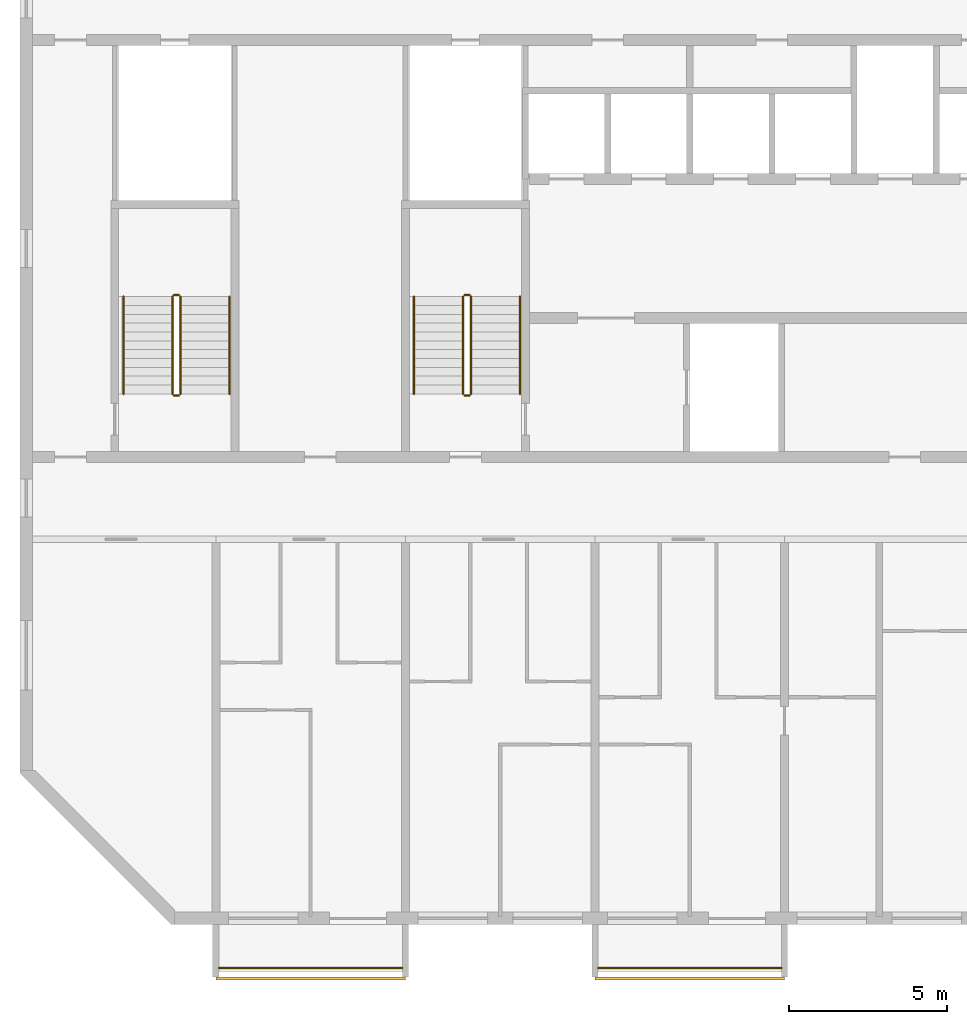
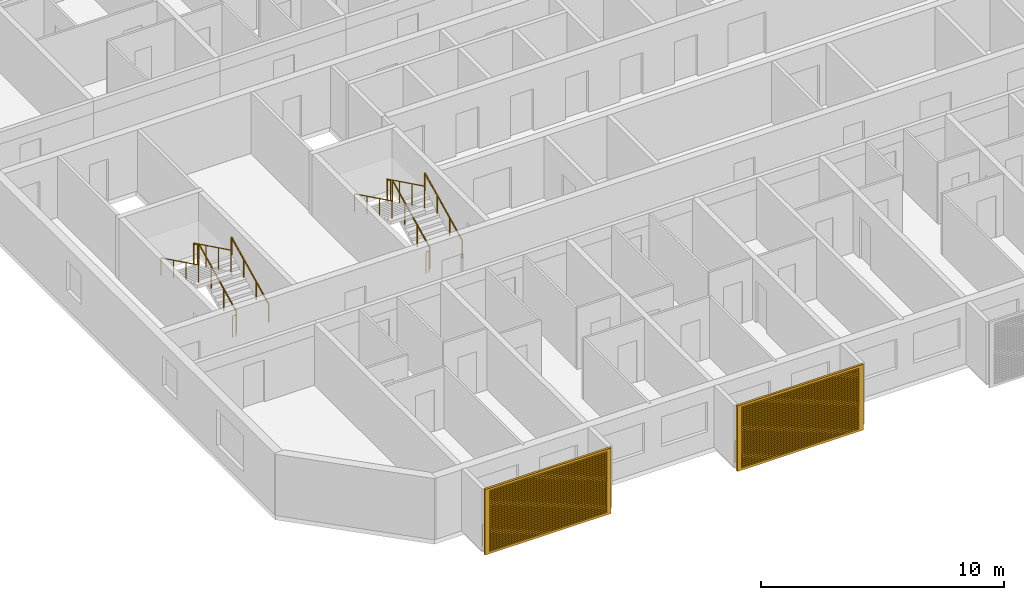
# One storey, part 12 of 26: 14 railings, 2 shading devices.
"""IFC4 building model written with IfcOpenShell, lengths in metres."""

import ifcopenshell
import ifcopenshell.guid

model = None  # the IFC model being written
_history = None  # IfcOwnerHistory: only IFC2X3 demands one
_inside = {}  # id of a spatial element -> (the spatial element, [elements in it])
_under = {}  # id of a project, library or spatial element -> (it, [spatial elements below it])
_declared = {}  # id of a project -> (the project, [libraries it declares])
_typed = {}  # id of a type object -> (the type object, [elements of that type])
_made_of = {}  # id of a material, layer set ... -> (it, [elements and type objects made of it])


def new_model(schema):
    """Start an empty IFC model of exactly this schema.

    Asked for "IFC4X3", IfcOpenShell would pick the latest addendum, in which some entities
    have other attributes; the version numbers below select the first issue.
    IFC2X3 requires an IfcOwnerHistory on every rooted entity: one is made here for all.
    """
    global model, _history
    if schema == "IFC4X3":
        model = ifcopenshell.file(schema_version=(4, 3, 0, 0))
    else:
        model = ifcopenshell.file(schema=schema)
    _inside.clear()
    _under.clear()
    _declared.clear()
    _typed.clear()
    _made_of.clear()
    _history = None
    if model.schema == "IFC2X3":
        org = make("IfcOrganization", Name="unknown")
        user = make(
            "IfcPersonAndOrganization",
            ThePerson=make("IfcPerson", FamilyName="unknown"),
            TheOrganization=org,
        )
        app = make(
            "IfcApplication",
            ApplicationDeveloper=org,
            Version="unknown",
            ApplicationFullName="unknown",
            ApplicationIdentifier="unknown",
        )
        _history = make(
            "IfcOwnerHistory",
            OwningUser=user,
            OwningApplication=app,
            ChangeAction="ADDED",
            CreationDate=0,
        )
    return model


def make(cls, **values):
    """One entity of the class cls with the attributes given. An attribute that is None is left unset."""
    return model.create_entity(
        cls, **{name: value for name, value in values.items() if value is not None}
    )


def rooted(cls, **values):
    """An entity with a GlobalId (a new one), such as an element, a storey or a relation."""
    return make(cls, GlobalId=ifcopenshell.guid.new(), OwnerHistory=_history, **values)


def si_unit(unit_type, name, prefix=None):
    """IfcSIUnit, for example si_unit("LENGTHUNIT", "METRE", prefix="MILLI")."""
    return make("IfcSIUnit", UnitType=unit_type, Prefix=prefix, Name=name)


def assignment(units):
    """IfcUnitAssignment: the units of a project."""
    return None if units is None else make("IfcUnitAssignment", Units=units)


def point(xyz):
    """IfcCartesianPoint."""
    return None if xyz is None else make("IfcCartesianPoint", Coordinates=xyz)


def direction(xyz):
    """IfcDirection."""
    return None if xyz is None else make("IfcDirection", DirectionRatios=xyz)


def frame(location, z_axis=None, x_axis=None):
    """IfcAxis2Placement3D, a coordinate frame: its origin and axes. An axis left out is left unset."""
    return make(
        "IfcAxis2Placement3D",
        Location=point(location),
        Axis=direction(z_axis),
        RefDirection=direction(x_axis),
    )


def frame_2d(location, x_axis=None):
    """IfcAxis2Placement2D, a coordinate frame in the plane: its origin and x axis."""
    return make(
        "IfcAxis2Placement2D", Location=point(location), RefDirection=direction(x_axis)
    )


def origin():
    """The frame at (0, 0, 0) with its axes left unset."""
    return frame((0.0, 0.0, 0.0))


def origin_2d():
    """The frame at (0, 0) in the plane with its x axis left unset."""
    return frame_2d((0.0, 0.0))


def place(relative_to, where):
    """IfcLocalPlacement: puts the frame where relative to a parent placement (None: the world)."""
    return make(
        "IfcLocalPlacement", PlacementRelTo=relative_to, RelativePlacement=where
    )


def context(
    kind, dimensions, precision=None, world=None, true_north=None, identifier=None
):
    """IfcGeometricRepresentationContext, for example the 3D "Model" context."""
    return make(
        "IfcGeometricRepresentationContext",
        ContextIdentifier=identifier,
        ContextType=kind,
        CoordinateSpaceDimension=dimensions,
        Precision=precision,
        WorldCoordinateSystem=world,
        TrueNorth=true_north,
    )


def subcontext(parent, identifier, kind, view, scale=None):
    """IfcGeometricRepresentationSubContext, for example "Body" below "Model"."""
    return make(
        "IfcGeometricRepresentationSubContext",
        ContextIdentifier=identifier,
        ContextType=kind,
        ParentContext=parent,
        TargetScale=scale,
        TargetView=view,
    )


def project(units=None, contexts=None):
    """IfcProject with its units and contexts."""
    return rooted(
        "IfcProject",
        Name="project",
        RepresentationContexts=contexts,
        UnitsInContext=assignment(units),
    )


def spatial(cls, under=None, at=None, **own):
    """A site, building, storey or space (cls), placed at a placement, below another one or the project."""
    s = rooted(cls, ObjectPlacement=at, **own)
    if under is not None:
        _under.setdefault(under.id(), (under, []))[1].append(s)
    return s


def polyline(points):
    """IfcPolyline through the points."""
    return make("IfcPolyline", Points=[point(p) for p in points])


def profile(cls, at=None, kind="AREA", **sizes):
    """A parametric profile (cls). Its sizes go by their IFC names, for example OverallWidth=200.0."""
    return make(cls, ProfileType=kind, Position=at, **sizes)


def circle(**sizes):
    """IfcCircleProfileDef."""
    return profile("IfcCircleProfileDef", **sizes)


def outline(outer, holes=None, kind="AREA"):
    """IfcArbitraryClosedProfileDef: a profile drawn as a closed curve; with holes, ...WithVoids."""
    if holes is None:
        return make("IfcArbitraryClosedProfileDef", ProfileType=kind, OuterCurve=outer)
    return make(
        "IfcArbitraryProfileDefWithVoids",
        ProfileType=kind,
        OuterCurve=outer,
        InnerCurves=holes,
    )


def extrude(swept, where, along, depth):
    """IfcExtrudedAreaSolid: the profile swept, set in the frame where, extruded along a direction by depth."""
    return make(
        "IfcExtrudedAreaSolid",
        SweptArea=swept,
        Position=where,
        ExtrudedDirection=direction(along),
        Depth=depth,
    )


def shape(context_of_items, identifier, shape_type, items):
    """IfcShapeRepresentation: the items that make up one representation, for example the "Body"."""
    return make(
        "IfcShapeRepresentation",
        ContextOfItems=context_of_items,
        RepresentationIdentifier=identifier,
        RepresentationType=shape_type,
        Items=items,
    )


def source(mapping_origin, context_of_items, identifier, shape_type, items):
    """IfcRepresentationMap: a shape defined once, which mapped items show again and again."""
    return make(
        "IfcRepresentationMap",
        MappingOrigin=mapping_origin,
        MappedRepresentation=shape(context_of_items, identifier, shape_type, items),
    )


def transform(
    local_origin,
    x_axis=None,
    y_axis=None,
    z_axis=None,
    scale=None,
    scale2=None,
    scale3=None,
    uniform=True,
):
    """IfcCartesianTransformationOperator3D, or its non-uniform kind. x_axis, y_axis, z_axis: its Axis1, 2, 3."""
    if uniform:
        return make(
            "IfcCartesianTransformationOperator3D",
            Axis1=direction(x_axis),
            Axis2=direction(y_axis),
            LocalOrigin=point(local_origin),
            Scale=scale,
            Axis3=direction(z_axis),
        )
    return make(
        "IfcCartesianTransformationOperator3DnonUniform",
        Axis1=direction(x_axis),
        Axis2=direction(y_axis),
        LocalOrigin=point(local_origin),
        Scale=scale,
        Axis3=direction(z_axis),
        Scale2=scale2,
        Scale3=scale3,
    )


def mapped(mapping_source, mapping_target):
    """IfcMappedItem: shows the shape of a source again, moved by a transform."""
    return make(
        "IfcMappedItem", MappingSource=mapping_source, MappingTarget=mapping_target
    )


def material(Name=None, Category=None):
    """IfcMaterial."""
    return make("IfcMaterial", Name=Name, Category=Category)


def material_profile(
    of_material, cross_section, Name=None, Category=None, Priority=None
):
    """IfcMaterialProfile: a cross section and its material."""
    return make(
        "IfcMaterialProfile",
        Name=Name,
        Material=of_material,
        Profile=cross_section,
        Priority=Priority,
        Category=Category,
    )


def profile_set(profiles, Name=None, composite=None):
    """IfcMaterialProfileSet."""
    return make(
        "IfcMaterialProfileSet",
        Name=Name,
        MaterialProfiles=profiles,
        CompositeProfile=composite,
    )


def made_of(thing, what):
    """Note that an element or type object is made of a material, layer set ...; save() writes the relation."""
    if what is not None:
        _made_of.setdefault(what.id(), (what, []))[1].append(thing)
    return thing


def type_object(cls, material=None, **own):
    """A type object (cls), such as IfcWallType, which elements share."""
    return made_of(rooted(cls, **own), material)


def element(
    cls,
    number,
    at=None,
    inside=None,
    cuts=None,
    type_object=None,
    material=None,
    context=None,
    identifier="Body",
    shape_type=None,
    held_by="IfcProductDefinitionShape",
    body=None,
    shapes=None,
    **own,
):
    """One element of the class cls, such as IfcWall. Its Tag is "e" and its number.

    at: its placement. inside: the storey or other place that contains it. cuts: it is an
    opening in that element (IfcRelVoidsElement). A single representation is given by context,
    identifier, shape_type and body (its items); several are given by shapes. held_by: the class
    of the entity that holds the representations. save() writes the other relations.
    """
    e = rooted(cls, Tag="e%d" % number, ObjectPlacement=at, **own)
    if body is not None:
        shapes = [shape(context, identifier, shape_type, body)]
    if shapes is not None:
        e.Representation = make(held_by, Representations=shapes)
    if inside is not None:
        _inside.setdefault(inside.id(), (inside, []))[1].append(e)
    if cuts is not None:
        rooted(
            "IfcRelVoidsElement", RelatingBuildingElement=cuts, RelatedOpeningElement=e
        )
    if type_object is not None:
        _typed.setdefault(type_object.id(), (type_object, []))[1].append(e)
    return made_of(e, material)


def aggregate(whole, parts):
    """IfcRelAggregates: a whole, such as a stair, and the parts it consists of."""
    return rooted("IfcRelAggregates", RelatingObject=whole, RelatedObjects=parts)


def save(model, path):
    """Write the relations noted so far, then the file.

    IfcRelAggregates (storeys below a building ...), IfcRelContainedInSpatialStructure (elements
    in a storey), IfcRelDefinesByType, IfcRelAssociatesMaterial and IfcRelDeclares: one each for
    every whole, place, type object, material and project.
    """
    for whole, parts in _under.values():
        aggregate(whole, parts)
    for where, things in _inside.values():
        rooted(
            "IfcRelContainedInSpatialStructure",
            RelatedElements=things,
            RelatingStructure=where,
        )
    for kind, things in _typed.values():
        rooted("IfcRelDefinesByType", RelatedObjects=things, RelatingType=kind)
    for what, things in _made_of.values():
        rooted("IfcRelAssociatesMaterial", RelatedObjects=things, RelatingMaterial=what)
    for by, libraries in _declared.values():
        rooted("IfcRelDeclares", RelatingContext=by, RelatedDefinitions=libraries)
    model.write(path)


model = new_model("IFC4")

# Units and contexts
model_context = context("Model", 3, precision=1e-05, world=origin(), true_north=direction((0.0, 1.0)))
body_context = subcontext(model_context, "Body", "Model", "MODEL_VIEW")
ifc_project = project(units=[si_unit("LENGTHUNIT", "METRE"), si_unit("AREAUNIT", "SQUARE_METRE"), si_unit("VOLUMEUNIT", "CUBIC_METRE"), si_unit("PLANEANGLEUNIT", "RADIAN"), si_unit("MASSUNIT", "GRAM", prefix="KILO")], contexts=[model_context])

# Site, building, storey
site_placement = place(None, origin())
site = spatial("IfcSite", under=ifc_project, at=site_placement, CompositionType="ELEMENT")
building_placement = place(site_placement, origin())
building = spatial("IfcBuilding", under=site, at=building_placement, Name="Poui Terraces", CompositionType="ELEMENT")
storey_placement = place(building_placement, frame((0.0, 0.0, 224.699951171875)))
storey = spatial("IfcBuildingStorey", under=building, at=storey_placement, Name="L62", CompositionType="ELEMENT", Elevation=224.699951171875)

# Railings
ifc_material_1 = material(Name="Painted steel fretwork", Category="steel")
railing_type_1 = type_object("IfcRailingType", Name="BALCONY GUARD 1100", PredefinedType="GUARDRAIL", material=ifc_material_1)
for number, where, name in (
    (1, (24.10009765625, -1.570068359375, 0.0), "BALCONY GUARD"),
    (2, (36.10009765625, -1.570068359375, 0.0), "BALCONY GUARD"),
):
    element("IfcRailing", number, at=place(storey_placement, frame(where)), inside=storey, type_object=railing_type_1, Name=name, PredefinedType="GUARDRAIL", context=body_context, shape_type="SweptSolid", body=[
        extrude(circle(Radius=0.02392578125, at=origin_2d()), frame((0.0, 0.0, 1.076171875), z_axis=(1.0, 0.0, 0.0), x_axis=(0.0, 1.0, 0.0)), (0.0, 0.0, 1.0), 5.7998046875),
        extrude(circle(Radius=0.02099609375, at=origin_2d()), origin(), (0.0, 0.0, 1.0), 1.052001953125),
        extrude(circle(Radius=0.02099609375, at=origin_2d()), frame((0.966552734375, 0.0, 0.0)), (0.0, 0.0, 1.0), 1.052001953125),
        extrude(circle(Radius=0.02099609375, at=origin_2d()), frame((1.933349609375, 0.0, 0.0)), (0.0, 0.0, 1.0), 1.052001953125),
        extrude(circle(Radius=0.02099609375, at=origin_2d()), frame((2.89990234375, 0.0, 0.0)), (0.0, 0.0, 1.0), 1.052001953125),
        extrude(circle(Radius=0.02099609375, at=origin_2d()), frame((3.866455078125, 0.0, 0.0)), (0.0, 0.0, 1.0), 1.052001953125),
        extrude(circle(Radius=0.02099609375, at=origin_2d()), frame((4.833251953125, 0.0, 0.0)), (0.0, 0.0, 1.0), 1.052001953125),
        extrude(circle(Radius=0.02099609375, at=origin_2d()), frame((5.7998046875, 0.0, 0.0)), (0.0, 0.0, 1.0), 1.052001953125),
    ])
ifc_material_2 = material(Name="Galvanised steel balustrade", Category="steel")
railing_type_2 = type_object("IfcRailingType", Name="STAIR GUARD 1100", PredefinedType="GUARDRAIL", material=ifc_material_2)
railing_1_placement = place(storey_placement, frame((32.074951171875, 16.60009765625, 0.137451171875)))
element("IfcRailing", 3, at=railing_1_placement, inside=storey, type_object=railing_type_2, Name="L62 ST-CW stair guard 1", PredefinedType="GUARDRAIL", context=body_context, shape_type="SweptSolid", body=[
    extrude(circle(Radius=0.02392578125, at=origin_2d()), frame((0.0, 0.0, 1.076171875), z_axis=(0.0, 0.897578036475, 0.440855609512), x_axis=(-1.0, 0.0, 0.0)), (0.0, 0.0, 1.0), 3.43115234375),
    extrude(circle(Radius=0.02099609375, at=origin_2d()), origin(), (0.0, 0.0, 1.0), 1.052001953125),
    extrude(circle(Radius=0.02099609375, at=origin_2d()), frame((0.0, 1.026611328125, 0.504150390625)), (0.0, 0.0, 1.0), 1.052001953125),
    extrude(circle(Radius=0.02099609375, at=origin_2d()), frame((0.0, 2.05322265625, 1.008544921875)), (0.0, 0.0, 1.0), 1.052001953125),
    extrude(circle(Radius=0.02099609375, at=origin_2d()), frame((0.0, 3.079833984375, 1.5126953125)), (0.0, 0.0, 1.0), 1.052001953125),
])
railing_2_placement = place(storey_placement, frame((32.02490234375, 19.72998046875, 1.650146484375)))
element("IfcRailing", 4, at=railing_2_placement, inside=storey, type_object=railing_type_2, Name="L62 ST-CW stair guard 2", PredefinedType="GUARDRAIL", context=body_context, shape_type="SweptSolid", body=[
    extrude(circle(Radius=0.02392578125, at=origin_2d()), frame((0.0, 0.0, 1.076171875), z_axis=(-1.0, 0.0, 0.0), x_axis=(0.0, -1.0, 0.0)), (0.0, 0.0, 1.0), 0.14990234375),
    extrude(circle(Radius=0.02099609375, at=origin_2d()), origin(), (0.0, 0.0, 1.0), 1.052001953125),
    extrude(circle(Radius=0.02099609375, at=origin_2d()), frame((-0.14990234375, 0.0, 0.0)), (0.0, 0.0, 1.0), 1.052001953125),
])
railing_3_placement = place(storey_placement, frame((31.824951171875, 19.679931640625, 1.78759765625)))
element("IfcRailing", 5, at=railing_3_placement, inside=storey, type_object=railing_type_2, Name="L62 ST-CW stair guard 3", PredefinedType="GUARDRAIL", context=body_context, shape_type="SweptSolid", body=[
    extrude(circle(Radius=0.02392578125, at=origin_2d()), frame((0.0, 0.0, 1.076171875), z_axis=(0.0, -0.897606190399, 0.440798283751), x_axis=(1.0, 0.0, 0.0)), (0.0, 0.0, 1.0), 3.43115234375),
    extrude(circle(Radius=0.02099609375, at=origin_2d()), origin(), (0.0, 0.0, 1.0), 1.052001953125),
    extrude(circle(Radius=0.02099609375, at=origin_2d()), frame((0.0, -1.026611328125, 0.504150390625)), (0.0, 0.0, 1.0), 1.052001953125),
    extrude(circle(Radius=0.02099609375, at=origin_2d()), frame((0.0, -2.05322265625, 1.00830078125)), (0.0, 0.0, 1.0), 1.052001953125),
    extrude(circle(Radius=0.02099609375, at=origin_2d()), frame((0.0, -3.079833984375, 1.512451171875)), (0.0, 0.0, 1.0), 1.052001953125),
])
railing_4_placement = place(storey_placement, frame((32.02490234375, 16.550048828125, 0.0)))
element("IfcRailing", 6, at=railing_4_placement, inside=storey, type_object=railing_type_2, Name="L62 ST-CW stair guard 4", PredefinedType="GUARDRAIL", context=body_context, shape_type="SweptSolid", body=[
    extrude(circle(Radius=0.02392578125, at=origin_2d()), frame((0.0, 0.0, 1.076171875), z_axis=(-1.0, 0.0, 0.0), x_axis=(0.0, -1.0, 0.0)), (0.0, 0.0, 1.0), 0.14990234375),
    extrude(circle(Radius=0.02099609375, at=origin_2d()), origin(), (0.0, 0.0, 1.0), 1.052001953125),
    extrude(circle(Radius=0.02099609375, at=origin_2d()), frame((-0.14990234375, 0.0, 0.0)), (0.0, 0.0, 1.0), 1.052001953125),
])
railing_5_placement = place(storey_placement, frame((22.875, 16.60009765625, 0.137451171875)))
element("IfcRailing", 7, at=railing_5_placement, inside=storey, type_object=railing_type_2, Name="L62 ST-W stair guard 1", PredefinedType="GUARDRAIL", context=body_context, shape_type="SweptSolid", body=[
    extrude(circle(Radius=0.02392578125, at=origin_2d()), frame((0.0, 0.0, 1.076171875), z_axis=(0.0, 0.897578036475, 0.440855609512), x_axis=(-1.0, 0.0, 0.0)), (0.0, 0.0, 1.0), 3.43115234375),
    extrude(circle(Radius=0.02099609375, at=origin_2d()), origin(), (0.0, 0.0, 1.0), 1.052001953125),
    extrude(circle(Radius=0.02099609375, at=origin_2d()), frame((0.0, 1.026611328125, 0.504150390625)), (0.0, 0.0, 1.0), 1.052001953125),
    extrude(circle(Radius=0.02099609375, at=origin_2d()), frame((0.0, 2.05322265625, 1.008544921875)), (0.0, 0.0, 1.0), 1.052001953125),
    extrude(circle(Radius=0.02099609375, at=origin_2d()), frame((0.0, 3.079833984375, 1.5126953125)), (0.0, 0.0, 1.0), 1.052001953125),
])
railing_6_placement = place(storey_placement, frame((22.824951171875, 19.72998046875, 1.650146484375)))
element("IfcRailing", 8, at=railing_6_placement, inside=storey, type_object=railing_type_2, Name="L62 ST-W stair guard 2", PredefinedType="GUARDRAIL", context=body_context, shape_type="SweptSolid", body=[
    extrude(circle(Radius=0.02392578125, at=origin_2d()), frame((0.0, 0.0, 1.076171875), z_axis=(-1.0, 0.0, 0.0), x_axis=(0.0, -1.0, 0.0)), (0.0, 0.0, 1.0), 0.14990234375),
    extrude(circle(Radius=0.02099609375, at=origin_2d()), origin(), (0.0, 0.0, 1.0), 1.052001953125),
    extrude(circle(Radius=0.02099609375, at=origin_2d()), frame((-0.14990234375, 0.0, 0.0)), (0.0, 0.0, 1.0), 1.052001953125),
])
railing_7_placement = place(storey_placement, frame((22.625, 19.679931640625, 1.78759765625)))
element("IfcRailing", 9, at=railing_7_placement, inside=storey, type_object=railing_type_2, Name="L62 ST-W stair guard 3", PredefinedType="GUARDRAIL", context=body_context, shape_type="SweptSolid", body=[
    extrude(circle(Radius=0.02392578125, at=origin_2d()), frame((0.0, 0.0, 1.076171875), z_axis=(0.0, -0.897606190399, 0.440798283751), x_axis=(1.0, 0.0, 0.0)), (0.0, 0.0, 1.0), 3.43115234375),
    extrude(circle(Radius=0.02099609375, at=origin_2d()), origin(), (0.0, 0.0, 1.0), 1.052001953125),
    extrude(circle(Radius=0.02099609375, at=origin_2d()), frame((0.0, -1.026611328125, 0.504150390625)), (0.0, 0.0, 1.0), 1.052001953125),
    extrude(circle(Radius=0.02099609375, at=origin_2d()), frame((0.0, -2.05322265625, 1.00830078125)), (0.0, 0.0, 1.0), 1.052001953125),
    extrude(circle(Radius=0.02099609375, at=origin_2d()), frame((0.0, -3.079833984375, 1.512451171875)), (0.0, 0.0, 1.0), 1.052001953125),
])
railing_8_placement = place(storey_placement, frame((22.824951171875, 16.550048828125, 0.0)))
element("IfcRailing", 10, at=railing_8_placement, inside=storey, type_object=railing_type_2, Name="L62 ST-W stair guard 4", PredefinedType="GUARDRAIL", context=body_context, shape_type="SweptSolid", body=[
    extrude(circle(Radius=0.02392578125, at=origin_2d()), frame((0.0, 0.0, 1.076171875), z_axis=(-1.0, 0.0, 0.0), x_axis=(0.0, -1.0, 0.0)), (0.0, 0.0, 1.0), 0.14990234375),
    extrude(circle(Radius=0.02099609375, at=origin_2d()), origin(), (0.0, 0.0, 1.0), 1.052001953125),
    extrude(circle(Radius=0.02099609375, at=origin_2d()), frame((-0.14990234375, 0.0, 0.0)), (0.0, 0.0, 1.0), 1.052001953125),
])
ifc_material_3 = material(Name="Stainless steel handrail", Category="steel")
railing_type_3 = type_object("IfcRailingType", Name="STAIR HANDRAIL 900", PredefinedType="HANDRAIL", material=ifc_material_3)
railing_9_placement = place(storey_placement, frame((33.625, 16.60009765625, 0.137451171875)))
element("IfcRailing", 11, at=railing_9_placement, inside=storey, type_object=railing_type_3, Name="L62 ST-CW stair handrail 1", PredefinedType="HANDRAIL", context=body_context, shape_type="SweptSolid", body=[
    extrude(circle(Radius=0.02392578125, at=origin_2d()), frame((0.0, 0.0, 0.8759765625), z_axis=(0.0, 0.897578036475, 0.440855609512), x_axis=(-1.0, 0.0, 0.0)), (0.0, 0.0, 1.0), 3.43115234375),
    extrude(circle(Radius=0.02099609375, at=origin_2d()), origin(), (0.0, 0.0, 1.0), 0.851806640625),
    extrude(circle(Radius=0.02099609375, at=origin_2d()), frame((0.0, 1.026611328125, 0.504150390625)), (0.0, 0.0, 1.0), 0.851806640625),
    extrude(circle(Radius=0.02099609375, at=origin_2d()), frame((0.0, 2.05322265625, 1.008544921875)), (0.0, 0.0, 1.0), 0.851806640625),
    extrude(circle(Radius=0.02099609375, at=origin_2d()), frame((0.0, 3.079833984375, 1.5126953125)), (0.0, 0.0, 1.0), 0.851806640625),
])
railing_10_placement = place(storey_placement, frame((30.27490234375, 19.679931640625, 1.78759765625)))
element("IfcRailing", 12, at=railing_10_placement, inside=storey, type_object=railing_type_3, Name="L62 ST-CW stair handrail 2", PredefinedType="HANDRAIL", context=body_context, shape_type="SweptSolid", body=[
    extrude(circle(Radius=0.02392578125, at=origin_2d()), frame((0.0, 0.0, 0.8759765625), z_axis=(0.0, -0.897606190399, 0.440798283751), x_axis=(1.0, 0.0, 0.0)), (0.0, 0.0, 1.0), 3.43115234375),
    extrude(circle(Radius=0.02099609375, at=origin_2d()), origin(), (0.0, 0.0, 1.0), 0.851806640625),
    extrude(circle(Radius=0.02099609375, at=origin_2d()), frame((0.0, -1.026611328125, 0.504150390625)), (0.0, 0.0, 1.0), 0.851806640625),
    extrude(circle(Radius=0.02099609375, at=origin_2d()), frame((0.0, -2.05322265625, 1.00830078125)), (0.0, 0.0, 1.0), 0.851806640625),
    extrude(circle(Radius=0.02099609375, at=origin_2d()), frame((0.0, -3.079833984375, 1.512451171875)), (0.0, 0.0, 1.0), 0.851806640625),
])
railing_11_placement = place(storey_placement, frame((24.425048828125, 16.60009765625, 0.137451171875)))
element("IfcRailing", 13, at=railing_11_placement, inside=storey, type_object=railing_type_3, Name="L62 ST-W stair handrail 1", PredefinedType="HANDRAIL", context=body_context, shape_type="SweptSolid", body=[
    extrude(circle(Radius=0.02392578125, at=origin_2d()), frame((0.0, 0.0, 0.8759765625), z_axis=(0.0, 0.897578036475, 0.440855609512), x_axis=(-1.0, 0.0, 0.0)), (0.0, 0.0, 1.0), 3.43115234375),
    extrude(circle(Radius=0.02099609375, at=origin_2d()), origin(), (0.0, 0.0, 1.0), 0.851806640625),
    extrude(circle(Radius=0.02099609375, at=origin_2d()), frame((0.0, 1.026611328125, 0.504150390625)), (0.0, 0.0, 1.0), 0.851806640625),
    extrude(circle(Radius=0.02099609375, at=origin_2d()), frame((0.0, 2.05322265625, 1.008544921875)), (0.0, 0.0, 1.0), 0.851806640625),
    extrude(circle(Radius=0.02099609375, at=origin_2d()), frame((0.0, 3.079833984375, 1.5126953125)), (0.0, 0.0, 1.0), 0.851806640625),
])
railing_12_placement = place(storey_placement, frame((21.074951171875, 19.679931640625, 1.78759765625)))
element("IfcRailing", 14, at=railing_12_placement, inside=storey, type_object=railing_type_3, Name="L62 ST-W stair handrail 2", PredefinedType="HANDRAIL", context=body_context, shape_type="SweptSolid", body=[
    extrude(circle(Radius=0.02392578125, at=origin_2d()), frame((0.0, 0.0, 0.8759765625), z_axis=(0.0, -0.897606190399, 0.440798283751), x_axis=(1.0, 0.0, 0.0)), (0.0, 0.0, 1.0), 3.43115234375),
    extrude(circle(Radius=0.02099609375, at=origin_2d()), origin(), (0.0, 0.0, 1.0), 0.851806640625),
    extrude(circle(Radius=0.02099609375, at=origin_2d()), frame((0.0, -1.026611328125, 0.504150390625)), (0.0, 0.0, 1.0), 0.851806640625),
    extrude(circle(Radius=0.02099609375, at=origin_2d()), frame((0.0, -2.05322265625, 1.00830078125)), (0.0, 0.0, 1.0), 0.851806640625),
    extrude(circle(Radius=0.02099609375, at=origin_2d()), frame((0.0, -3.079833984375, 1.512451171875)), (0.0, 0.0, 1.0), 0.851806640625),
])

# Shading devices
ifc_material_4 = material(Name="Aluminium louvre", Category="aluminium")
ifc_material_profile = material_profile(ifc_material_4, outline(polyline([(-3.0, -1.64990234375), (3.0, -1.64990234375), (3.0, 1.64990234375), (-3.0, 1.64990234375), (-3.0, -1.64990234375)]), holes=[polyline([(-2.800048828125, -1.530029296875), (2.800048828125, -1.530029296875), (2.800048828125, -1.469970703125), (-2.800048828125, -1.469970703125), (-2.800048828125, -1.530029296875)]), polyline([(-2.800048828125, -1.429931640625), (2.800048828125, -1.429931640625), (2.800048828125, -1.3701171875), (-2.800048828125, -1.3701171875), (-2.800048828125, -1.429931640625)]), polyline([(-2.800048828125, -1.330078125), (2.800048828125, -1.330078125), (2.800048828125, -1.27001953125), (-2.800048828125, -1.27001953125), (-2.800048828125, -1.330078125)]), polyline([(-2.800048828125, -1.22998046875), (2.800048828125, -1.22998046875), (2.800048828125, -1.169921875), (-2.800048828125, -1.169921875), (-2.800048828125, -1.22998046875)]), polyline([(-2.800048828125, -1.1298828125), (2.800048828125, -1.1298828125), (2.800048828125, -1.070068359375), (-2.800048828125, -1.070068359375), (-2.800048828125, -1.1298828125)]), polyline([(-2.800048828125, -1.030029296875), (2.800048828125, -1.030029296875), (2.800048828125, -0.969970703125), (-2.800048828125, -0.969970703125), (-2.800048828125, -1.030029296875)]), polyline([(-2.800048828125, -0.929931640625), (2.800048828125, -0.929931640625), (2.800048828125, -0.8701171875), (-2.800048828125, -0.8701171875), (-2.800048828125, -0.929931640625)]), polyline([(-2.800048828125, -0.830078125), (2.800048828125, -0.830078125), (2.800048828125, -0.77001953125), (-2.800048828125, -0.77001953125), (-2.800048828125, -0.830078125)]), polyline([(-2.800048828125, -0.72998046875), (2.800048828125, -0.72998046875), (2.800048828125, -0.669921875), (-2.800048828125, -0.669921875), (-2.800048828125, -0.72998046875)]), polyline([(-2.800048828125, -0.6298828125), (2.800048828125, -0.6298828125), (2.800048828125, -0.570068359375), (-2.800048828125, -0.570068359375), (-2.800048828125, -0.6298828125)]), polyline([(-2.800048828125, -0.530029296875), (2.800048828125, -0.530029296875), (2.800048828125, -0.469970703125), (-2.800048828125, -0.469970703125), (-2.800048828125, -0.530029296875)]), polyline([(-2.800048828125, -0.429931640625), (2.800048828125, -0.429931640625), (2.800048828125, -0.3701171875), (-2.800048828125, -0.3701171875), (-2.800048828125, -0.429931640625)]), polyline([(-2.800048828125, -0.330078125), (2.800048828125, -0.330078125), (2.800048828125, -0.27001953125), (-2.800048828125, -0.27001953125), (-2.800048828125, -0.330078125)]), polyline([(-2.800048828125, -0.22998046875), (2.800048828125, -0.22998046875), (2.800048828125, -0.169921875), (-2.800048828125, -0.169921875), (-2.800048828125, -0.22998046875)]), polyline([(-2.800048828125, -0.1298828125), (2.800048828125, -0.1298828125), (2.800048828125, -0.070068359375), (-2.800048828125, -0.070068359375), (-2.800048828125, -0.1298828125)]), polyline([(-2.800048828125, -0.030029296875), (2.800048828125, -0.030029296875), (2.800048828125, 0.030029296875), (-2.800048828125, 0.030029296875), (-2.800048828125, -0.030029296875)]), polyline([(-2.800048828125, 0.070068359375), (2.800048828125, 0.070068359375), (2.800048828125, 0.1298828125), (-2.800048828125, 0.1298828125), (-2.800048828125, 0.070068359375)]), polyline([(-2.800048828125, 0.169921875), (2.800048828125, 0.169921875), (2.800048828125, 0.22998046875), (-2.800048828125, 0.22998046875), (-2.800048828125, 0.169921875)]), polyline([(-2.800048828125, 0.27001953125), (2.800048828125, 0.27001953125), (2.800048828125, 0.330078125), (-2.800048828125, 0.330078125), (-2.800048828125, 0.27001953125)]), polyline([(-2.800048828125, 0.3701171875), (2.800048828125, 0.3701171875), (2.800048828125, 0.429931640625), (-2.800048828125, 0.429931640625), (-2.800048828125, 0.3701171875)]), polyline([(-2.800048828125, 0.469970703125), (2.800048828125, 0.469970703125), (2.800048828125, 0.530029296875), (-2.800048828125, 0.530029296875), (-2.800048828125, 0.469970703125)]), polyline([(-2.800048828125, 0.570068359375), (2.800048828125, 0.570068359375), (2.800048828125, 0.6298828125), (-2.800048828125, 0.6298828125), (-2.800048828125, 0.570068359375)]), polyline([(-2.800048828125, 0.669921875), (2.800048828125, 0.669921875), (2.800048828125, 0.72998046875), (-2.800048828125, 0.72998046875), (-2.800048828125, 0.669921875)]), polyline([(-2.800048828125, 0.77001953125), (2.800048828125, 0.77001953125), (2.800048828125, 0.830078125), (-2.800048828125, 0.830078125), (-2.800048828125, 0.77001953125)]), polyline([(-2.800048828125, 0.8701171875), (2.800048828125, 0.8701171875), (2.800048828125, 0.929931640625), (-2.800048828125, 0.929931640625), (-2.800048828125, 0.8701171875)]), polyline([(-2.800048828125, 0.969970703125), (2.800048828125, 0.969970703125), (2.800048828125, 1.030029296875), (-2.800048828125, 1.030029296875), (-2.800048828125, 0.969970703125)]), polyline([(-2.800048828125, 1.070068359375), (2.800048828125, 1.070068359375), (2.800048828125, 1.1298828125), (-2.800048828125, 1.1298828125), (-2.800048828125, 1.070068359375)]), polyline([(-2.800048828125, 1.169921875), (2.800048828125, 1.169921875), (2.800048828125, 1.22998046875), (-2.800048828125, 1.22998046875), (-2.800048828125, 1.169921875)]), polyline([(-2.800048828125, 1.27001953125), (2.800048828125, 1.27001953125), (2.800048828125, 1.330078125), (-2.800048828125, 1.330078125), (-2.800048828125, 1.27001953125)]), polyline([(-2.800048828125, 1.3701171875), (2.800048828125, 1.3701171875), (2.800048828125, 1.429931640625), (-2.800048828125, 1.429931640625), (-2.800048828125, 1.3701171875)]), polyline([(-2.800048828125, 1.469970703125), (2.800048828125, 1.469970703125), (2.800048828125, 1.530029296875), (-2.800048828125, 1.530029296875), (-2.800048828125, 1.469970703125)])]), Name="JALOUSIE LOUVRE SHUTTER 6000X3300")
ifc_profile_set = profile_set([ifc_material_profile], Name="Aluminium louvre")
shading_device_type = type_object("IfcShadingDeviceType", Name="JALOUSIE LOUVRE SHUTTER 6000X3300", PredefinedType="JALOUSIE", material=ifc_profile_set)
shared_shape = source(origin(), body_context, "Body", "SweptSolid", [
    extrude(outline(polyline([(-3.0, -1.64990234375), (3.0, -1.64990234375), (3.0, 1.64990234375), (-3.0, 1.64990234375), (-3.0, -1.64990234375)]), holes=[polyline([(-2.800048828125, -1.530029296875), (2.800048828125, -1.530029296875), (2.800048828125, -1.469970703125), (-2.800048828125, -1.469970703125), (-2.800048828125, -1.530029296875)]), polyline([(-2.800048828125, -1.429931640625), (2.800048828125, -1.429931640625), (2.800048828125, -1.3701171875), (-2.800048828125, -1.3701171875), (-2.800048828125, -1.429931640625)]), polyline([(-2.800048828125, -1.330078125), (2.800048828125, -1.330078125), (2.800048828125, -1.27001953125), (-2.800048828125, -1.27001953125), (-2.800048828125, -1.330078125)]), polyline([(-2.800048828125, -1.22998046875), (2.800048828125, -1.22998046875), (2.800048828125, -1.169921875), (-2.800048828125, -1.169921875), (-2.800048828125, -1.22998046875)]), polyline([(-2.800048828125, -1.1298828125), (2.800048828125, -1.1298828125), (2.800048828125, -1.070068359375), (-2.800048828125, -1.070068359375), (-2.800048828125, -1.1298828125)]), polyline([(-2.800048828125, -1.030029296875), (2.800048828125, -1.030029296875), (2.800048828125, -0.969970703125), (-2.800048828125, -0.969970703125), (-2.800048828125, -1.030029296875)]), polyline([(-2.800048828125, -0.929931640625), (2.800048828125, -0.929931640625), (2.800048828125, -0.8701171875), (-2.800048828125, -0.8701171875), (-2.800048828125, -0.929931640625)]), polyline([(-2.800048828125, -0.830078125), (2.800048828125, -0.830078125), (2.800048828125, -0.77001953125), (-2.800048828125, -0.77001953125), (-2.800048828125, -0.830078125)]), polyline([(-2.800048828125, -0.72998046875), (2.800048828125, -0.72998046875), (2.800048828125, -0.669921875), (-2.800048828125, -0.669921875), (-2.800048828125, -0.72998046875)]), polyline([(-2.800048828125, -0.6298828125), (2.800048828125, -0.6298828125), (2.800048828125, -0.570068359375), (-2.800048828125, -0.570068359375), (-2.800048828125, -0.6298828125)]), polyline([(-2.800048828125, -0.530029296875), (2.800048828125, -0.530029296875), (2.800048828125, -0.469970703125), (-2.800048828125, -0.469970703125), (-2.800048828125, -0.530029296875)]), polyline([(-2.800048828125, -0.429931640625), (2.800048828125, -0.429931640625), (2.800048828125, -0.3701171875), (-2.800048828125, -0.3701171875), (-2.800048828125, -0.429931640625)]), polyline([(-2.800048828125, -0.330078125), (2.800048828125, -0.330078125), (2.800048828125, -0.27001953125), (-2.800048828125, -0.27001953125), (-2.800048828125, -0.330078125)]), polyline([(-2.800048828125, -0.22998046875), (2.800048828125, -0.22998046875), (2.800048828125, -0.169921875), (-2.800048828125, -0.169921875), (-2.800048828125, -0.22998046875)]), polyline([(-2.800048828125, -0.1298828125), (2.800048828125, -0.1298828125), (2.800048828125, -0.070068359375), (-2.800048828125, -0.070068359375), (-2.800048828125, -0.1298828125)]), polyline([(-2.800048828125, -0.030029296875), (2.800048828125, -0.030029296875), (2.800048828125, 0.030029296875), (-2.800048828125, 0.030029296875), (-2.800048828125, -0.030029296875)]), polyline([(-2.800048828125, 0.070068359375), (2.800048828125, 0.070068359375), (2.800048828125, 0.1298828125), (-2.800048828125, 0.1298828125), (-2.800048828125, 0.070068359375)]), polyline([(-2.800048828125, 0.169921875), (2.800048828125, 0.169921875), (2.800048828125, 0.22998046875), (-2.800048828125, 0.22998046875), (-2.800048828125, 0.169921875)]), polyline([(-2.800048828125, 0.27001953125), (2.800048828125, 0.27001953125), (2.800048828125, 0.330078125), (-2.800048828125, 0.330078125), (-2.800048828125, 0.27001953125)]), polyline([(-2.800048828125, 0.3701171875), (2.800048828125, 0.3701171875), (2.800048828125, 0.429931640625), (-2.800048828125, 0.429931640625), (-2.800048828125, 0.3701171875)]), polyline([(-2.800048828125, 0.469970703125), (2.800048828125, 0.469970703125), (2.800048828125, 0.530029296875), (-2.800048828125, 0.530029296875), (-2.800048828125, 0.469970703125)]), polyline([(-2.800048828125, 0.570068359375), (2.800048828125, 0.570068359375), (2.800048828125, 0.6298828125), (-2.800048828125, 0.6298828125), (-2.800048828125, 0.570068359375)]), polyline([(-2.800048828125, 0.669921875), (2.800048828125, 0.669921875), (2.800048828125, 0.72998046875), (-2.800048828125, 0.72998046875), (-2.800048828125, 0.669921875)]), polyline([(-2.800048828125, 0.77001953125), (2.800048828125, 0.77001953125), (2.800048828125, 0.830078125), (-2.800048828125, 0.830078125), (-2.800048828125, 0.77001953125)]), polyline([(-2.800048828125, 0.8701171875), (2.800048828125, 0.8701171875), (2.800048828125, 0.929931640625), (-2.800048828125, 0.929931640625), (-2.800048828125, 0.8701171875)]), polyline([(-2.800048828125, 0.969970703125), (2.800048828125, 0.969970703125), (2.800048828125, 1.030029296875), (-2.800048828125, 1.030029296875), (-2.800048828125, 0.969970703125)]), polyline([(-2.800048828125, 1.070068359375), (2.800048828125, 1.070068359375), (2.800048828125, 1.1298828125), (-2.800048828125, 1.1298828125), (-2.800048828125, 1.070068359375)]), polyline([(-2.800048828125, 1.169921875), (2.800048828125, 1.169921875), (2.800048828125, 1.22998046875), (-2.800048828125, 1.22998046875), (-2.800048828125, 1.169921875)]), polyline([(-2.800048828125, 1.27001953125), (2.800048828125, 1.27001953125), (2.800048828125, 1.330078125), (-2.800048828125, 1.330078125), (-2.800048828125, 1.27001953125)]), polyline([(-2.800048828125, 1.3701171875), (2.800048828125, 1.3701171875), (2.800048828125, 1.429931640625), (-2.800048828125, 1.429931640625), (-2.800048828125, 1.3701171875)]), polyline([(-2.800048828125, 1.469970703125), (2.800048828125, 1.469970703125), (2.800048828125, 1.530029296875), (-2.800048828125, 1.530029296875), (-2.800048828125, 1.469970703125)])]), origin(), (0.0, 0.0, 1.0), 0.099853515625),
])
for number, where, z_axis, x_axis, name in (
    (15, (27.0, -1.85009765625, 1.449951171875), (0.0, -1.0, 0.0), (1.0, 0.0, 0.0), "JALOUSIE LOUVRE SHUTTER"),
    (16, (39.0, -1.85009765625, 1.449951171875), (0.0, -1.0, 0.0), (1.0, 0.0, 0.0), "JALOUSIE LOUVRE SHUTTER"),
):
    element("IfcShadingDevice", number, at=place(storey_placement, frame(where, z_axis=z_axis, x_axis=x_axis)), inside=storey, type_object=shading_device_type, Name=name, PredefinedType="JALOUSIE", context=body_context, shape_type="MappedRepresentation", body=[
        mapped(shared_shape, transform((0.0, 0.0, 0.0))),
    ])

save(model, "model.ifc")
